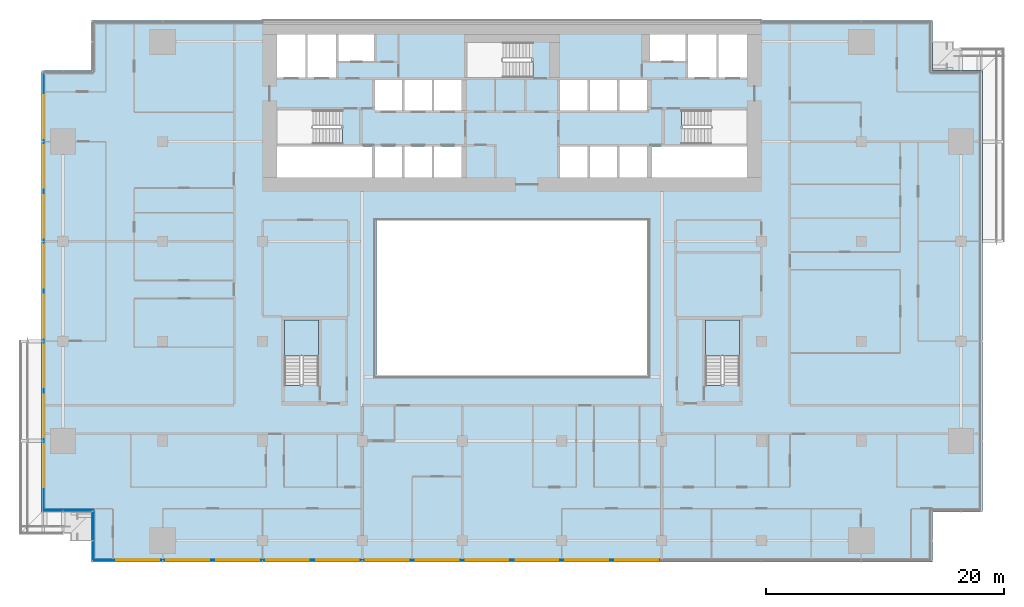
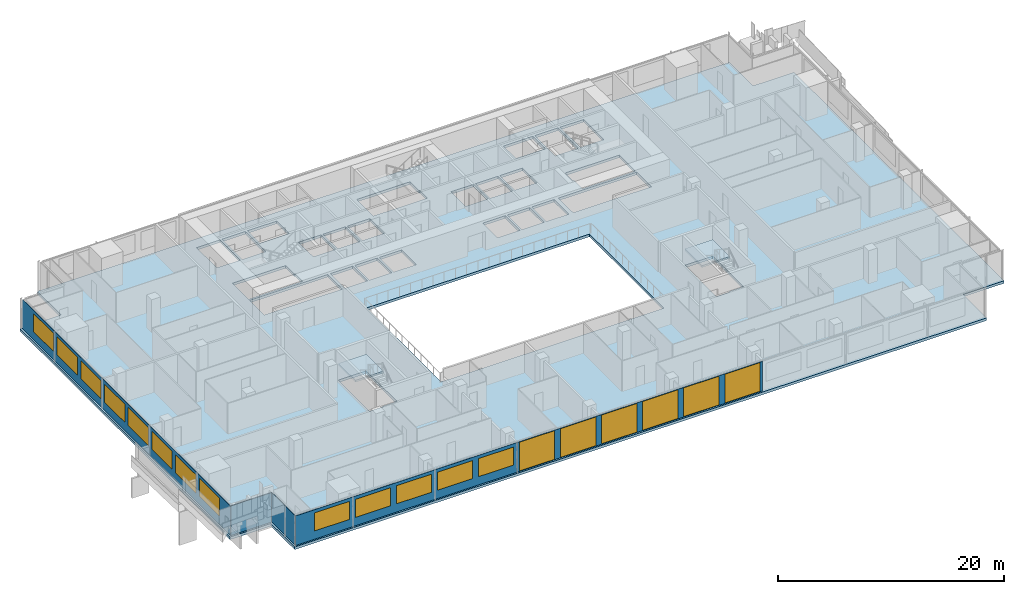
# One storey, part 14 of 27: 19 windows, 5 plates, 3 slabs, 19 openings, 6 elements without a shape of their own.
"""IFC4 building model written with IfcOpenShell, lengths in metres."""

from ifc_helpers import new_model, si_unit, direction, frame, frame_2d, origin, place, context, subcontext, project, spatial, polyline, rectangle, outline, extrude, material, layer, layer_set, type_object, element, fill, aggregate, save


model = new_model("IFC4")

# Units and contexts
model_context = context("Model", 3, precision=1e-05, world=origin(), true_north=direction((0.0, 1.0)))
body_context = subcontext(model_context, "Body", "Model", "MODEL_VIEW")
ifc_project = project(units=[si_unit("LENGTHUNIT", "METRE"), si_unit("AREAUNIT", "SQUARE_METRE"), si_unit("VOLUMEUNIT", "CUBIC_METRE"), si_unit("PLANEANGLEUNIT", "RADIAN"), si_unit("MASSUNIT", "GRAM", prefix="KILO")], contexts=[model_context])

# Site, building, storey
site_placement = place(None, origin())
site = spatial("IfcSite", under=ifc_project, at=site_placement, CompositionType="ELEMENT")
building_placement = place(site_placement, origin())
building = spatial("IfcBuilding", under=site, at=building_placement, Name="Saffron Gate Tower", CompositionType="ELEMENT")
storey_placement = place(building_placement, frame((0.0, 0.0, 76.800048828125)))
storey = spatial("IfcBuildingStorey", under=building, at=storey_placement, Name="L18", CompositionType="ELEMENT", Elevation=76.800048828125)

# Curtain wall, plates, openings, windows
ifc_material_1 = material(Name="Aluminium, bronze anodised", Category="aluminium")
curtain_wall_type_1 = type_object("IfcCurtainWallType", Name="CWS1 curtain wall front facade", PredefinedType="NOTDEFINED", material=ifc_material_1)
curtain_wall_1_placement = place(storey_placement, origin())
curtain_wall_1 = element("IfcCurtainWall", 1, at=curtain_wall_1_placement, inside=storey, type_object=curtain_wall_type_1, Name="CWS1 run 1", PredefinedType="NOTDEFINED")
ifc_material_2 = material(Name="Clear low-iron laminated glass", Category="glass")
ifc_layer_1 = layer(ifc_material_2, 0.028076171875)
ifc_layer_set_1 = layer_set([ifc_layer_1], Name="CWS1 clear glass")
plate_type_1 = type_object("IfcPlateType", Name="CWS1 clear glass", PredefinedType="CURTAIN_PANEL", material=ifc_layer_set_1)
plate_1_placement = place(storey_placement, frame((75.030029296875, 30.174072265625, 0.0), z_axis=(0.0, 0.0, 1.0), x_axis=(1.0, 0.0, 0.0)))
plate_1 = element("IfcPlate", 2, at=plate_1_placement, type_object=plate_type_1, Name="CWS1 clear glass panel", PredefinedType="CURTAIN_PANEL", context=body_context, shape_type="SweptSolid", body=[
    extrude(rectangle(XDim=25.139892578125, YDim=0.028076171875, at=frame_2d((12.56982421875, 0.0))), origin(), (0.0, 0.0, 1.0), 3.199951171875),
])
opening_1_placement = place(plate_1_placement, frame((0.27001953125, 0.0, 0.050048828125)))
opening_1 = element("IfcOpeningElement", 3, at=opening_1_placement, cuts=plate_1, Name="Opening WA", PredefinedType="OPENING", context=body_context, shape_type="SweptSolid", body=[
    extrude(rectangle(XDim=3.60009765625, YDim=3.10009765625, at=frame_2d((1.800048828125, 1.550048828125))), frame((0.0, 0.02392578125, 0.0), z_axis=(0.0, -1.0, 0.0), x_axis=(1.0, 0.0, 0.0)), (0.0, 0.0, 1.0), 0.048095703125),
])
opening_2_placement = place(plate_1_placement, frame((4.469970703125, 0.0, 0.050048828125)))
opening_2 = element("IfcOpeningElement", 4, at=opening_2_placement, cuts=plate_1, Name="Opening WA", PredefinedType="OPENING", context=body_context, shape_type="SweptSolid", body=[
    extrude(rectangle(XDim=3.60009765625, YDim=3.10009765625, at=frame_2d((1.800048828125, 1.550048828125))), frame((0.0, 0.02392578125, 0.0), z_axis=(0.0, -1.0, 0.0), x_axis=(1.0, 0.0, 0.0)), (0.0, 0.0, 1.0), 0.048095703125),
])
opening_3_placement = place(plate_1_placement, frame((8.669921875, 0.0, 0.050048828125)))
opening_3 = element("IfcOpeningElement", 5, at=opening_3_placement, cuts=plate_1, Name="Opening WA", PredefinedType="OPENING", context=body_context, shape_type="SweptSolid", body=[
    extrude(rectangle(XDim=3.60009765625, YDim=3.10009765625, at=frame_2d((1.800048828125, 1.550048828125))), frame((0.0, 0.02392578125, 0.0), z_axis=(0.0, -1.0, 0.0), x_axis=(1.0, 0.0, 0.0)), (0.0, 0.0, 1.0), 0.048095703125),
])
opening_4_placement = place(plate_1_placement, frame((12.8701171875, 0.0, 0.050048828125)))
opening_4 = element("IfcOpeningElement", 6, at=opening_4_placement, cuts=plate_1, Name="Opening WA", PredefinedType="OPENING", context=body_context, shape_type="SweptSolid", body=[
    extrude(rectangle(XDim=3.60009765625, YDim=3.10009765625, at=frame_2d((1.800048828125, 1.550048828125))), frame((0.0, 0.02392578125, 0.0), z_axis=(0.0, -1.0, 0.0), x_axis=(1.0, 0.0, 0.0)), (0.0, 0.0, 1.0), 0.048095703125),
])
opening_5_placement = place(plate_1_placement, frame((17.070068359375, 0.0, 0.050048828125)))
opening_5 = element("IfcOpeningElement", 7, at=opening_5_placement, cuts=plate_1, Name="Opening WA", PredefinedType="OPENING", context=body_context, shape_type="SweptSolid", body=[
    extrude(rectangle(XDim=3.60009765625, YDim=3.10009765625, at=frame_2d((1.800048828125, 1.550048828125))), frame((0.0, 0.02392578125, 0.0), z_axis=(0.0, -1.0, 0.0), x_axis=(1.0, 0.0, 0.0)), (0.0, 0.0, 1.0), 0.048095703125),
])
opening_6_placement = place(plate_1_placement, frame((21.27001953125, 0.0, 0.050048828125)))
opening_6 = element("IfcOpeningElement", 8, at=opening_6_placement, cuts=plate_1, Name="Opening WA", PredefinedType="OPENING", context=body_context, shape_type="SweptSolid", body=[
    extrude(rectangle(XDim=3.60009765625, YDim=3.10009765625, at=frame_2d((1.800048828125, 1.550048828125))), frame((0.0, 0.02392578125, 0.0), z_axis=(0.0, -1.0, 0.0), x_axis=(1.0, 0.0, 0.0)), (0.0, 0.0, 1.0), 0.048095703125),
])
ifc_material_3 = material(Name="Clear low-iron laminated glass in bronze frame", Category="glass")
ifc_layer_2 = layer(ifc_material_3, 0.06005859375)
ifc_layer_set_2 = layer_set([ifc_layer_2], Name="WA operable atrium unit 3600x3100")
window_type_1 = type_object("IfcWindowType", Name="WA operable atrium unit 3600x3100", PartitioningType="DOUBLE_PANEL_HORIZONTAL", PredefinedType="WINDOW", material=ifc_layer_set_2)
window_1_placement = place(opening_1_placement, origin())
window_1 = element("IfcWindow", 9, at=window_1_placement, type_object=window_type_1, Name="WA operable atrium unit", OverallHeight=3.10009765625, OverallWidth=3.60009765625, PartitioningType="SINGLE_PANEL", PredefinedType="WINDOW", context=body_context, shape_type="SweptSolid", body=[
    extrude(rectangle(XDim=3.60009765625, YDim=3.10009765625, at=frame_2d((1.800048828125, 1.550048828125))), frame((0.0, 0.013671875, 0.0), z_axis=(0.0, -1.0, 0.0), x_axis=(1.0, 0.0, 0.0)), (0.0, 0.0, 1.0), 0.027587890625),
])
fill(opening_1, window_1)
window_2_placement = place(opening_2_placement, origin())
window_2 = element("IfcWindow", 10, at=window_2_placement, type_object=window_type_1, Name="WA operable atrium unit", OverallHeight=3.10009765625, OverallWidth=3.60009765625, PartitioningType="SINGLE_PANEL", PredefinedType="WINDOW", context=body_context, shape_type="SweptSolid", body=[
    extrude(rectangle(XDim=3.60009765625, YDim=3.10009765625, at=frame_2d((1.800048828125, 1.550048828125))), frame((0.0, 0.013671875, 0.0), z_axis=(0.0, -1.0, 0.0), x_axis=(1.0, 0.0, 0.0)), (0.0, 0.0, 1.0), 0.027587890625),
])
fill(opening_2, window_2)
window_3_placement = place(opening_3_placement, origin())
window_3 = element("IfcWindow", 11, at=window_3_placement, type_object=window_type_1, Name="WA operable atrium unit", OverallHeight=3.10009765625, OverallWidth=3.60009765625, PartitioningType="SINGLE_PANEL", PredefinedType="WINDOW", context=body_context, shape_type="SweptSolid", body=[
    extrude(rectangle(XDim=3.60009765625, YDim=3.10009765625, at=frame_2d((1.800048828125, 1.550048828125))), frame((0.0, 0.013671875, 0.0), z_axis=(0.0, -1.0, 0.0), x_axis=(1.0, 0.0, 0.0)), (0.0, 0.0, 1.0), 0.027587890625),
])
fill(opening_3, window_3)
window_4_placement = place(opening_4_placement, origin())
window_4 = element("IfcWindow", 12, at=window_4_placement, type_object=window_type_1, Name="WA operable atrium unit", OverallHeight=3.10009765625, OverallWidth=3.60009765625, PartitioningType="SINGLE_PANEL", PredefinedType="WINDOW", context=body_context, shape_type="SweptSolid", body=[
    extrude(rectangle(XDim=3.60009765625, YDim=3.10009765625, at=frame_2d((1.800048828125, 1.550048828125))), frame((0.0, 0.013671875, 0.0), z_axis=(0.0, -1.0, 0.0), x_axis=(1.0, 0.0, 0.0)), (0.0, 0.0, 1.0), 0.027587890625),
])
fill(opening_4, window_4)
window_5_placement = place(opening_5_placement, origin())
window_5 = element("IfcWindow", 13, at=window_5_placement, type_object=window_type_1, Name="WA operable atrium unit", OverallHeight=3.10009765625, OverallWidth=3.60009765625, PartitioningType="SINGLE_PANEL", PredefinedType="WINDOW", context=body_context, shape_type="SweptSolid", body=[
    extrude(rectangle(XDim=3.60009765625, YDim=3.10009765625, at=frame_2d((1.800048828125, 1.550048828125))), frame((0.0, 0.013671875, 0.0), z_axis=(0.0, -1.0, 0.0), x_axis=(1.0, 0.0, 0.0)), (0.0, 0.0, 1.0), 0.027587890625),
])
fill(opening_5, window_5)
window_6_placement = place(opening_6_placement, origin())
window_6 = element("IfcWindow", 14, at=window_6_placement, type_object=window_type_1, Name="WA operable atrium unit", OverallHeight=3.10009765625, OverallWidth=3.60009765625, PartitioningType="SINGLE_PANEL", PredefinedType="WINDOW", context=body_context, shape_type="SweptSolid", body=[
    extrude(rectangle(XDim=3.60009765625, YDim=3.10009765625, at=frame_2d((1.800048828125, 1.550048828125))), frame((0.0, 0.013671875, 0.0), z_axis=(0.0, -1.0, 0.0), x_axis=(1.0, 0.0, 0.0)), (0.0, 0.0, 1.0), 0.027587890625),
])
fill(opening_6, window_6)
ifc_material_4 = material(Name="Fritted bronze-tinted laminated glass", Category="glass")
ifc_layer_3 = layer(ifc_material_4, 0.028076171875)
ifc_layer_set_3 = layer_set([ifc_layer_3], Name="CWS1 fixed glass")
plate_type_2 = type_object("IfcPlateType", Name="CWS1 fixed glass", PredefinedType="CURTAIN_PANEL", material=ifc_layer_set_3)
plate_2_placement = place(storey_placement, frame((52.387939453125, 30.174072265625, 0.0), z_axis=(0.0, 0.0, 1.0), x_axis=(1.0, 0.0, 0.0)))
plate_2 = element("IfcPlate", 15, at=plate_2_placement, type_object=plate_type_2, Name="CWS1 glass panel", PredefinedType="CURTAIN_PANEL", context=body_context, shape_type="SweptSolid", body=[
    extrude(rectangle(XDim=22.64208984375, YDim=0.028076171875, at=frame_2d((11.321044921875, 0.0))), origin(), (0.0, 0.0, 1.0), 3.199951171875),
])
opening_7_placement = place(plate_2_placement, frame((1.912109375, 0.0, 0.89990234375)))
opening_7 = element("IfcOpeningElement", 16, at=opening_7_placement, cuts=plate_2, Name="Opening W1", PredefinedType="OPENING", context=body_context, shape_type="SweptSolid", body=[
    extrude(rectangle(XDim=3.60009765625, YDim=1.949951171875, at=frame_2d((1.800048828125, 0.97509765625))), frame((0.0, 0.02392578125, 0.0), z_axis=(0.0, -1.0, 0.0), x_axis=(1.0, 0.0, 0.0)), (0.0, 0.0, 1.0), 0.048095703125),
])
opening_8_placement = place(plate_2_placement, frame((6.112060546875, 0.0, 0.89990234375)))
opening_8 = element("IfcOpeningElement", 17, at=opening_8_placement, cuts=plate_2, Name="Opening W1", PredefinedType="OPENING", context=body_context, shape_type="SweptSolid", body=[
    extrude(rectangle(XDim=3.60009765625, YDim=1.949951171875, at=frame_2d((1.800048828125, 0.97509765625))), frame((0.0, 0.02392578125, 0.0), z_axis=(0.0, -1.0, 0.0), x_axis=(1.0, 0.0, 0.0)), (0.0, 0.0, 1.0), 0.048095703125),
])
opening_9_placement = place(plate_2_placement, frame((10.31201171875, 0.0, 0.89990234375)))
opening_9 = element("IfcOpeningElement", 18, at=opening_9_placement, cuts=plate_2, Name="Opening W1", PredefinedType="OPENING", context=body_context, shape_type="SweptSolid", body=[
    extrude(rectangle(XDim=3.60009765625, YDim=1.949951171875, at=frame_2d((1.800048828125, 0.97509765625))), frame((0.0, 0.02392578125, 0.0), z_axis=(0.0, -1.0, 0.0), x_axis=(1.0, 0.0, 0.0)), (0.0, 0.0, 1.0), 0.048095703125),
])
opening_10_placement = place(plate_2_placement, frame((14.511962890625, 0.0, 0.89990234375)))
opening_10 = element("IfcOpeningElement", 19, at=opening_10_placement, cuts=plate_2, Name="Opening W1", PredefinedType="OPENING", context=body_context, shape_type="SweptSolid", body=[
    extrude(rectangle(XDim=3.60009765625, YDim=1.949951171875, at=frame_2d((1.800048828125, 0.97509765625))), frame((0.0, 0.02392578125, 0.0), z_axis=(0.0, -1.0, 0.0), x_axis=(1.0, 0.0, 0.0)), (0.0, 0.0, 1.0), 0.048095703125),
])
opening_11_placement = place(plate_2_placement, frame((18.7119140625, 0.0, 0.89990234375)))
opening_11 = element("IfcOpeningElement", 20, at=opening_11_placement, cuts=plate_2, Name="Opening W1", PredefinedType="OPENING", context=body_context, shape_type="SweptSolid", body=[
    extrude(rectangle(XDim=3.60009765625, YDim=1.949951171875, at=frame_2d((1.800048828125, 0.97509765625))), frame((0.0, 0.02392578125, 0.0), z_axis=(0.0, -1.0, 0.0), x_axis=(1.0, 0.0, 0.0)), (0.0, 0.0, 1.0), 0.048095703125),
])
ifc_material_5 = material(Name="Fritted bronze-tinted laminated glass in bronze frame", Category="glass")
ifc_layer_4 = layer(ifc_material_5, 0.06005859375)
ifc_layer_set_4 = layer_set([ifc_layer_4], Name="W1 operable panel 3600x1950")
window_type_2 = type_object("IfcWindowType", Name="W1 operable panel 3600x1950", PartitioningType="DOUBLE_PANEL_HORIZONTAL", PredefinedType="WINDOW", material=ifc_layer_set_4)
window_7_placement = place(opening_7_placement, origin())
window_7 = element("IfcWindow", 21, at=window_7_placement, type_object=window_type_2, Name="W1 operable panel", OverallHeight=1.949951171875, OverallWidth=3.60009765625, PartitioningType="SINGLE_PANEL", PredefinedType="WINDOW", context=body_context, shape_type="SweptSolid", body=[
    extrude(rectangle(XDim=3.60009765625, YDim=1.949951171875, at=frame_2d((1.800048828125, 0.97509765625))), frame((0.0, 0.013671875, 0.0), z_axis=(0.0, -1.0, 0.0), x_axis=(1.0, 0.0, 0.0)), (0.0, 0.0, 1.0), 0.027587890625),
])
fill(opening_7, window_7)
window_8_placement = place(opening_8_placement, origin())
window_8 = element("IfcWindow", 22, at=window_8_placement, type_object=window_type_2, Name="W1 operable panel", OverallHeight=1.949951171875, OverallWidth=3.60009765625, PartitioningType="SINGLE_PANEL", PredefinedType="WINDOW", context=body_context, shape_type="SweptSolid", body=[
    extrude(rectangle(XDim=3.60009765625, YDim=1.949951171875, at=frame_2d((1.800048828125, 0.97509765625))), frame((0.0, 0.013671875, 0.0), z_axis=(0.0, -1.0, 0.0), x_axis=(1.0, 0.0, 0.0)), (0.0, 0.0, 1.0), 0.027587890625),
])
fill(opening_8, window_8)
window_9_placement = place(opening_9_placement, origin())
window_9 = element("IfcWindow", 23, at=window_9_placement, type_object=window_type_2, Name="W1 operable panel", OverallHeight=1.949951171875, OverallWidth=3.60009765625, PartitioningType="SINGLE_PANEL", PredefinedType="WINDOW", context=body_context, shape_type="SweptSolid", body=[
    extrude(rectangle(XDim=3.60009765625, YDim=1.949951171875, at=frame_2d((1.800048828125, 0.97509765625))), frame((0.0, 0.013671875, 0.0), z_axis=(0.0, -1.0, 0.0), x_axis=(1.0, 0.0, 0.0)), (0.0, 0.0, 1.0), 0.027587890625),
])
fill(opening_9, window_9)
window_10_placement = place(opening_10_placement, origin())
window_10 = element("IfcWindow", 24, at=window_10_placement, type_object=window_type_2, Name="W1 operable panel", OverallHeight=1.949951171875, OverallWidth=3.60009765625, PartitioningType="SINGLE_PANEL", PredefinedType="WINDOW", context=body_context, shape_type="SweptSolid", body=[
    extrude(rectangle(XDim=3.60009765625, YDim=1.949951171875, at=frame_2d((1.800048828125, 0.97509765625))), frame((0.0, 0.013671875, 0.0), z_axis=(0.0, -1.0, 0.0), x_axis=(1.0, 0.0, 0.0)), (0.0, 0.0, 1.0), 0.027587890625),
])
fill(opening_10, window_10)
window_11_placement = place(opening_11_placement, origin())
window_11 = element("IfcWindow", 25, at=window_11_placement, type_object=window_type_2, Name="W1 operable panel", OverallHeight=1.949951171875, OverallWidth=3.60009765625, PartitioningType="SINGLE_PANEL", PredefinedType="WINDOW", context=body_context, shape_type="SweptSolid", body=[
    extrude(rectangle(XDim=3.60009765625, YDim=1.949951171875, at=frame_2d((1.800048828125, 0.97509765625))), frame((0.0, 0.013671875, 0.0), z_axis=(0.0, -1.0, 0.0), x_axis=(1.0, 0.0, 0.0)), (0.0, 0.0, 1.0), 0.027587890625),
])
fill(opening_11, window_11)
aggregate(curtain_wall_1, [plate_2, plate_1, window_7, window_8, window_9, window_10, window_11, window_1, window_2, window_3, window_4, window_5, window_6])

# Curtain wall, plate, openings, windows
curtain_wall_type_2 = type_object("IfcCurtainWallType", Name="CWS2 curtain wall side facades", PredefinedType="NOTDEFINED", material=ifc_material_1)
curtain_wall_2_placement = place(storey_placement, origin())
curtain_wall_2 = element("IfcCurtainWall", 26, at=curtain_wall_2_placement, inside=storey, type_object=curtain_wall_type_2, Name="CWS2 run 10", PredefinedType="NOTDEFINED")
ifc_layer_5 = layer(ifc_material_4, 0.028076171875)
ifc_layer_set_5 = layer_set([ifc_layer_5], Name="CWS2 fixed glass")
plate_type_3 = type_object("IfcPlateType", Name="CWS2 fixed glass", PredefinedType="CURTAIN_PANEL", material=ifc_layer_set_5)
plate_3_placement = place(storey_placement, frame((48.174072265625, 71.2119140625, 0.0), z_axis=(0.0, 0.0, 1.0), x_axis=(0.0, -1.0, 0.0)))
plate_3 = element("IfcPlate", 27, at=plate_3_placement, type_object=plate_type_3, Name="CWS2 glass panel", PredefinedType="CURTAIN_PANEL", context=body_context, shape_type="SweptSolid", body=[
    extrude(rectangle(XDim=36.823974609375, YDim=0.028076171875, at=frame_2d((18.412109375, 0.0))), origin(), (0.0, 0.0, 1.0), 3.199951171875),
])
opening_12_placement = place(plate_3_placement, frame((1.912109375, 0.0, 0.89990234375)))
opening_12 = element("IfcOpeningElement", 28, at=opening_12_placement, cuts=plate_3, Name="Opening W1", PredefinedType="OPENING", context=body_context, shape_type="SweptSolid", body=[
    extrude(rectangle(XDim=3.60009765625, YDim=1.949951171875, at=frame_2d((1.800048828125, 0.97509765625))), frame((0.0, 0.02392578125, 0.0), z_axis=(0.0, -1.0, 0.0), x_axis=(1.0, 0.0, 0.0)), (0.0, 0.0, 1.0), 0.048095703125),
])
opening_13_placement = place(plate_3_placement, frame((6.112060546875, 0.0, 0.89990234375)))
opening_13 = element("IfcOpeningElement", 29, at=opening_13_placement, cuts=plate_3, Name="Opening W1", PredefinedType="OPENING", context=body_context, shape_type="SweptSolid", body=[
    extrude(rectangle(XDim=3.60009765625, YDim=1.949951171875, at=frame_2d((1.800048828125, 0.97509765625))), frame((0.0, 0.02392578125, 0.0), z_axis=(0.0, -1.0, 0.0), x_axis=(1.0, 0.0, 0.0)), (0.0, 0.0, 1.0), 0.048095703125),
])
opening_14_placement = place(plate_3_placement, frame((10.31201171875, 0.0, 0.89990234375)))
opening_14 = element("IfcOpeningElement", 30, at=opening_14_placement, cuts=plate_3, Name="Opening W1", PredefinedType="OPENING", context=body_context, shape_type="SweptSolid", body=[
    extrude(rectangle(XDim=3.60009765625, YDim=1.949951171875, at=frame_2d((1.800048828125, 0.97509765625))), frame((0.0, 0.02392578125, 0.0), z_axis=(0.0, -1.0, 0.0), x_axis=(1.0, 0.0, 0.0)), (0.0, 0.0, 1.0), 0.048095703125),
])
opening_15_placement = place(plate_3_placement, frame((14.511962890625, 0.0, 0.89990234375)))
opening_15 = element("IfcOpeningElement", 31, at=opening_15_placement, cuts=plate_3, Name="Opening W1", PredefinedType="OPENING", context=body_context, shape_type="SweptSolid", body=[
    extrude(rectangle(XDim=3.60009765625, YDim=1.949951171875, at=frame_2d((1.800048828125, 0.97509765625))), frame((0.0, 0.02392578125, 0.0), z_axis=(0.0, -1.0, 0.0), x_axis=(1.0, 0.0, 0.0)), (0.0, 0.0, 1.0), 0.048095703125),
])
opening_16_placement = place(plate_3_placement, frame((18.7119140625, 0.0, 0.89990234375)))
opening_16 = element("IfcOpeningElement", 32, at=opening_16_placement, cuts=plate_3, Name="Opening W1", PredefinedType="OPENING", context=body_context, shape_type="SweptSolid", body=[
    extrude(rectangle(XDim=3.60009765625, YDim=1.949951171875, at=frame_2d((1.800048828125, 0.97509765625))), frame((0.0, 0.02392578125, 0.0), z_axis=(0.0, -1.0, 0.0), x_axis=(1.0, 0.0, 0.0)), (0.0, 0.0, 1.0), 0.048095703125),
])
opening_17_placement = place(plate_3_placement, frame((22.912109375, 0.0, 0.89990234375)))
opening_17 = element("IfcOpeningElement", 33, at=opening_17_placement, cuts=plate_3, Name="Opening W1", PredefinedType="OPENING", context=body_context, shape_type="SweptSolid", body=[
    extrude(rectangle(XDim=3.60009765625, YDim=1.949951171875, at=frame_2d((1.800048828125, 0.97509765625))), frame((0.0, 0.02392578125, 0.0), z_axis=(0.0, -1.0, 0.0), x_axis=(1.0, 0.0, 0.0)), (0.0, 0.0, 1.0), 0.048095703125),
])
opening_18_placement = place(plate_3_placement, frame((27.112060546875, 0.0, 0.89990234375)))
opening_18 = element("IfcOpeningElement", 34, at=opening_18_placement, cuts=plate_3, Name="Opening W1", PredefinedType="OPENING", context=body_context, shape_type="SweptSolid", body=[
    extrude(rectangle(XDim=3.60009765625, YDim=1.949951171875, at=frame_2d((1.800048828125, 0.97509765625))), frame((0.0, 0.02392578125, 0.0), z_axis=(0.0, -1.0, 0.0), x_axis=(1.0, 0.0, 0.0)), (0.0, 0.0, 1.0), 0.048095703125),
])
opening_19_placement = place(plate_3_placement, frame((31.31201171875, 0.0, 0.89990234375)))
opening_19 = element("IfcOpeningElement", 35, at=opening_19_placement, cuts=plate_3, Name="Opening W1", PredefinedType="OPENING", context=body_context, shape_type="SweptSolid", body=[
    extrude(rectangle(XDim=3.60009765625, YDim=1.949951171875, at=frame_2d((1.800048828125, 0.97509765625))), frame((0.0, 0.02392578125, 0.0), z_axis=(0.0, -1.0, 0.0), x_axis=(1.0, 0.0, 0.0)), (0.0, 0.0, 1.0), 0.048095703125),
])
window_12_placement = place(opening_12_placement, origin())
window_12 = element("IfcWindow", 36, at=window_12_placement, type_object=window_type_2, Name="W1 operable panel", OverallHeight=1.949951171875, OverallWidth=3.60009765625, PartitioningType="SINGLE_PANEL", PredefinedType="WINDOW", context=body_context, shape_type="SweptSolid", body=[
    extrude(rectangle(XDim=3.60009765625, YDim=1.949951171875, at=frame_2d((1.800048828125, 0.97509765625))), frame((0.0, 0.013671875, 0.0), z_axis=(0.0, -1.0, 0.0), x_axis=(1.0, 0.0, 0.0)), (0.0, 0.0, 1.0), 0.027587890625),
])
fill(opening_12, window_12)
window_13_placement = place(opening_13_placement, origin())
window_13 = element("IfcWindow", 37, at=window_13_placement, type_object=window_type_2, Name="W1 operable panel", OverallHeight=1.949951171875, OverallWidth=3.60009765625, PartitioningType="SINGLE_PANEL", PredefinedType="WINDOW", context=body_context, shape_type="SweptSolid", body=[
    extrude(rectangle(XDim=3.60009765625, YDim=1.949951171875, at=frame_2d((1.800048828125, 0.97509765625))), frame((0.0, 0.013671875, 0.0), z_axis=(0.0, -1.0, 0.0), x_axis=(1.0, 0.0, 0.0)), (0.0, 0.0, 1.0), 0.027587890625),
])
fill(opening_13, window_13)
window_14_placement = place(opening_14_placement, origin())
window_14 = element("IfcWindow", 38, at=window_14_placement, type_object=window_type_2, Name="W1 operable panel", OverallHeight=1.949951171875, OverallWidth=3.60009765625, PartitioningType="SINGLE_PANEL", PredefinedType="WINDOW", context=body_context, shape_type="SweptSolid", body=[
    extrude(rectangle(XDim=3.60009765625, YDim=1.949951171875, at=frame_2d((1.800048828125, 0.97509765625))), frame((0.0, 0.013671875, 0.0), z_axis=(0.0, -1.0, 0.0), x_axis=(1.0, 0.0, 0.0)), (0.0, 0.0, 1.0), 0.027587890625),
])
fill(opening_14, window_14)
window_15_placement = place(opening_15_placement, origin())
window_15 = element("IfcWindow", 39, at=window_15_placement, type_object=window_type_2, Name="W1 operable panel", OverallHeight=1.949951171875, OverallWidth=3.60009765625, PartitioningType="SINGLE_PANEL", PredefinedType="WINDOW", context=body_context, shape_type="SweptSolid", body=[
    extrude(rectangle(XDim=3.60009765625, YDim=1.949951171875, at=frame_2d((1.800048828125, 0.97509765625))), frame((0.0, 0.013671875, 0.0), z_axis=(0.0, -1.0, 0.0), x_axis=(1.0, 0.0, 0.0)), (0.0, 0.0, 1.0), 0.027587890625),
])
fill(opening_15, window_15)
window_16_placement = place(opening_16_placement, origin())
window_16 = element("IfcWindow", 40, at=window_16_placement, type_object=window_type_2, Name="W1 operable panel", OverallHeight=1.949951171875, OverallWidth=3.60009765625, PartitioningType="SINGLE_PANEL", PredefinedType="WINDOW", context=body_context, shape_type="SweptSolid", body=[
    extrude(rectangle(XDim=3.60009765625, YDim=1.949951171875, at=frame_2d((1.800048828125, 0.97509765625))), frame((0.0, 0.013671875, 0.0), z_axis=(0.0, -1.0, 0.0), x_axis=(1.0, 0.0, 0.0)), (0.0, 0.0, 1.0), 0.027587890625),
])
fill(opening_16, window_16)
window_17_placement = place(opening_17_placement, origin())
window_17 = element("IfcWindow", 41, at=window_17_placement, type_object=window_type_2, Name="W1 operable panel", OverallHeight=1.949951171875, OverallWidth=3.60009765625, PartitioningType="SINGLE_PANEL", PredefinedType="WINDOW", context=body_context, shape_type="SweptSolid", body=[
    extrude(rectangle(XDim=3.60009765625, YDim=1.949951171875, at=frame_2d((1.800048828125, 0.97509765625))), frame((0.0, 0.013671875, 0.0), z_axis=(0.0, -1.0, 0.0), x_axis=(1.0, 0.0, 0.0)), (0.0, 0.0, 1.0), 0.027587890625),
])
fill(opening_17, window_17)
window_18_placement = place(opening_18_placement, origin())
window_18 = element("IfcWindow", 42, at=window_18_placement, type_object=window_type_2, Name="W1 operable panel", OverallHeight=1.949951171875, OverallWidth=3.60009765625, PartitioningType="SINGLE_PANEL", PredefinedType="WINDOW", context=body_context, shape_type="SweptSolid", body=[
    extrude(rectangle(XDim=3.60009765625, YDim=1.949951171875, at=frame_2d((1.800048828125, 0.97509765625))), frame((0.0, 0.013671875, 0.0), z_axis=(0.0, -1.0, 0.0), x_axis=(1.0, 0.0, 0.0)), (0.0, 0.0, 1.0), 0.027587890625),
])
fill(opening_18, window_18)
window_19_placement = place(opening_19_placement, origin())
window_19 = element("IfcWindow", 43, at=window_19_placement, type_object=window_type_2, Name="W1 operable panel", OverallHeight=1.949951171875, OverallWidth=3.60009765625, PartitioningType="SINGLE_PANEL", PredefinedType="WINDOW", context=body_context, shape_type="SweptSolid", body=[
    extrude(rectangle(XDim=3.60009765625, YDim=1.949951171875, at=frame_2d((1.800048828125, 0.97509765625))), frame((0.0, 0.013671875, 0.0), z_axis=(0.0, -1.0, 0.0), x_axis=(1.0, 0.0, 0.0)), (0.0, 0.0, 1.0), 0.027587890625),
])
fill(opening_19, window_19)
aggregate(curtain_wall_2, [plate_3, window_12, window_13, window_14, window_15, window_16, window_17, window_18, window_19])

# Curtain wall, plate
curtain_wall_type_3 = type_object("IfcCurtainWallType", Name="CWS4 curtain wall corner returns", PredefinedType="NOTDEFINED", material=ifc_material_1)
curtain_wall_3_placement = place(storey_placement, origin())
curtain_wall_3 = element("IfcCurtainWall", 44, at=curtain_wall_3_placement, inside=storey, type_object=curtain_wall_type_3, Name="CWS4 run 11", PredefinedType="NOTDEFINED")
ifc_layer_6 = layer(ifc_material_4, 0.028076171875)
ifc_layer_set_6 = layer_set([ifc_layer_6], Name="CWS4 fixed glass")
plate_type_4 = type_object("IfcPlateType", Name="CWS4 fixed glass", PredefinedType="CURTAIN_PANEL", material=ifc_layer_set_6)
plate_4_placement = place(storey_placement, frame((48.18798828125, 34.3740234375, 0.0), z_axis=(0.0, 0.0, 1.0), x_axis=(1.0, 0.0, 0.0)))
plate_4 = element("IfcPlate", 45, at=plate_4_placement, type_object=plate_type_4, Name="CWS4 glass panel", PredefinedType="CURTAIN_PANEL", context=body_context, shape_type="SweptSolid", body=[
    extrude(rectangle(XDim=4.172119140625, YDim=0.028076171875, at=frame_2d((2.0859375, 0.0))), origin(), (0.0, 0.0, 1.0), 3.199951171875),
])
aggregate(curtain_wall_3, [plate_4])

curtain_wall_4_placement = place(storey_placement, origin())
curtain_wall_4 = element("IfcCurtainWall", 46, at=curtain_wall_4_placement, inside=storey, type_object=curtain_wall_type_3, Name="CWS4 run 12", PredefinedType="NOTDEFINED")
plate_5_placement = place(storey_placement, frame((52.3740234375, 34.360107421875, 0.0), z_axis=(0.0, 0.0, 1.0), x_axis=(0.0, -1.0, 0.0)))
plate_5 = element("IfcPlate", 47, at=plate_5_placement, type_object=plate_type_4, Name="CWS4 glass panel", PredefinedType="CURTAIN_PANEL", context=body_context, shape_type="SweptSolid", body=[
    extrude(rectangle(XDim=4.172119140625, YDim=0.028076171875, at=frame_2d((2.0859375, 0.0))), origin(), (0.0, 0.0, 1.0), 3.199951171875),
])
aggregate(curtain_wall_4, [plate_5])

# Slab
ifc_material_6 = material(Name="Concrete C40", Category="concrete")
ifc_layer_7 = layer(ifc_material_6, 0.280029296875)
ifc_layer_set_7 = layer_set([ifc_layer_7], Name="S2 FLOOR SLAB 280 CONCRETE C40")
slab_type_1 = type_object("IfcSlabType", Name="S2 FLOOR SLAB 280 CONCRETE C40", PredefinedType="FLOOR", material=ifc_layer_set_7)
slab_1_placement = place(storey_placement, frame((0.0, 0.0, -0.280029296875)))
element("IfcSlab", 48, at=slab_1_placement, inside=storey, type_object=slab_type_1, Name="S2 FLOOR SLAB", PredefinedType="FLOOR", context=body_context, shape_type="SweptSolid", body=[
    extrude(outline(polyline([(48.0, 34.199951171875), (52.199951171875, 34.199951171875), (52.199951171875, 30.0), (123.0, 30.0), (123.0, 34.199951171875), (127.199951171875, 34.199951171875), (127.199951171875, 71.39990234375), (123.0, 71.39990234375), (123.0, 75.60009765625), (52.199951171875, 75.60009765625), (52.199951171875, 71.39990234375), (48.0, 71.39990234375), (48.0, 34.199951171875)]), holes=[polyline([(67.800048828125, 62.39990234375), (67.800048828125, 65.0), (75.800048828125, 65.0), (75.800048828125, 62.39990234375), (67.800048828125, 62.39990234375)]), polyline([(67.800048828125, 65.199951171875), (67.800048828125, 68.050048828125), (73.25, 68.050048828125), (73.25, 66.550048828125), (73.34912109375, 66.550048828125), (73.34912109375, 65.199951171875), (67.800048828125, 65.199951171875)]), polyline([(67.800048828125, 70.800048828125), (67.800048828125, 74.39990234375), (70.199951171875, 74.39990234375), (70.199951171875, 70.800048828125), (67.800048828125, 70.800048828125)]), polyline([(68.449951171875, 44.85107421875), (68.449951171875, 50.39990234375), (71.300048828125, 50.39990234375), (71.300048828125, 44.949951171875), (69.800048828125, 44.949951171875), (69.800048828125, 44.85107421875), (68.449951171875, 44.85107421875)]), polyline([(70.39990234375, 70.800048828125), (70.39990234375, 74.39990234375), (72.800048828125, 74.39990234375), (72.800048828125, 70.800048828125), (70.39990234375, 70.800048828125)]), polyline([(73.0, 72.199951171875), (73.0, 74.39990234375), (76.0, 74.39990234375), (76.0, 72.199951171875), (73.0, 72.199951171875)]), polyline([(76.050048828125, 62.39990234375), (76.050048828125, 65.0), (78.35009765625, 65.0), (78.35009765625, 62.39990234375), (76.050048828125, 62.39990234375)]), polyline([(76.050048828125, 68.0), (76.050048828125, 70.60009765625), (78.35009765625, 70.60009765625), (78.35009765625, 68.0), (76.050048828125, 68.0)]), polyline([(76.199951171875, 45.60009765625), (76.199951171875, 58.800048828125), (99.0, 58.800048828125), (99.0, 45.60009765625), (76.199951171875, 45.60009765625)]), polyline([(78.550048828125, 62.39990234375), (78.550048828125, 65.0), (80.85009765625, 65.0), (80.85009765625, 62.39990234375), (78.550048828125, 62.39990234375)]), polyline([(78.550048828125, 68.0), (78.550048828125, 70.60009765625), (80.85009765625, 70.60009765625), (80.85009765625, 68.0), (78.550048828125, 68.0)]), polyline([(81.050048828125, 62.39990234375), (81.050048828125, 65.0), (83.35009765625, 65.0), (83.35009765625, 62.39990234375), (81.050048828125, 62.39990234375)]), polyline([(81.050048828125, 68.0), (81.050048828125, 70.60009765625), (83.35009765625, 70.60009765625), (83.35009765625, 68.0), (81.050048828125, 68.0)]), polyline([(83.800048828125, 70.800048828125), (83.800048828125, 73.75), (89.25, 73.75), (89.25, 72.14990234375), (89.34912109375, 72.14990234375), (89.34912109375, 70.800048828125), (83.800048828125, 70.800048828125)]), polyline([(91.64990234375, 62.39990234375), (91.64990234375, 65.0), (93.949951171875, 65.0), (93.949951171875, 62.39990234375), (91.64990234375, 62.39990234375)]), polyline([(91.64990234375, 68.0), (91.64990234375, 70.60009765625), (93.949951171875, 70.60009765625), (93.949951171875, 68.0), (91.64990234375, 68.0)]), polyline([(94.14990234375, 62.39990234375), (94.14990234375, 65.0), (96.449951171875, 65.0), (96.449951171875, 62.39990234375), (94.14990234375, 62.39990234375)]), polyline([(94.14990234375, 68.0), (94.14990234375, 70.60009765625), (96.449951171875, 70.60009765625), (96.449951171875, 68.0), (94.14990234375, 68.0)]), polyline([(96.64990234375, 62.39990234375), (96.64990234375, 65.0), (98.949951171875, 65.0), (98.949951171875, 62.39990234375), (96.64990234375, 62.39990234375)]), polyline([(96.64990234375, 68.0), (96.64990234375, 70.60009765625), (98.949951171875, 70.60009765625), (98.949951171875, 68.0), (96.64990234375, 68.0)]), polyline([(99.199951171875, 72.199951171875), (99.199951171875, 74.39990234375), (102.199951171875, 74.39990234375), (102.199951171875, 72.199951171875), (99.199951171875, 72.199951171875)]), polyline([(99.39990234375, 62.39990234375), (99.39990234375, 65.0), (107.39990234375, 65.0), (107.39990234375, 62.39990234375), (99.39990234375, 62.39990234375)]), polyline([(101.85107421875, 66.699951171875), (101.85107421875, 68.050048828125), (107.39990234375, 68.050048828125), (107.39990234375, 65.199951171875), (101.949951171875, 65.199951171875), (101.949951171875, 66.699951171875), (101.85107421875, 66.699951171875)]), polyline([(102.39990234375, 70.800048828125), (102.39990234375, 74.39990234375), (104.800048828125, 74.39990234375), (104.800048828125, 70.800048828125), (102.39990234375, 70.800048828125)]), polyline([(103.89990234375, 44.85107421875), (103.89990234375, 50.39990234375), (106.75, 50.39990234375), (106.75, 44.949951171875), (105.25, 44.949951171875), (105.25, 44.85107421875), (103.89990234375, 44.85107421875)]), polyline([(105.0, 70.800048828125), (105.0, 74.39990234375), (107.39990234375, 74.39990234375), (107.39990234375, 70.800048828125), (105.0, 70.800048828125)])]), origin(), (0.0, 0.0, 1.0), 0.280029296875),
])

# Stair, slab
stair_type = type_object("IfcStairType", Name="ST7 Stair 1350 wide, 20 risers of 180", PredefinedType="HALF_TURN_STAIR", material=ifc_material_6)
stair_1_placement = place(storey_placement, origin())
stair_1 = element("IfcStair", 49, at=stair_1_placement, inside=storey, type_object=stair_type, Name="L18 Exit stair D", PredefinedType="HALF_TURN_STAIR")
ifc_layer_8 = layer(ifc_material_6, 0.199951171875)
ifc_layer_set_8 = layer_set([ifc_layer_8], Name="SL1 Stair landing 200")
slab_type_2 = type_object("IfcSlabType", Name="SL1 Stair landing 200", PredefinedType="LANDING", material=ifc_layer_set_8)
slab_2_placement = place(storey_placement, frame((0.0, 0.0, 1.599853515625)))
slab_2 = element("IfcSlab", 50, at=slab_2_placement, type_object=slab_type_2, Name="ST-D landing 1", PredefinedType="LANDING", context=body_context, shape_type="SweptSolid", body=[
    extrude(outline(polyline([(71.300048828125, 47.3701171875), (71.300048828125, 50.39990234375), (68.449951171875, 50.39990234375), (68.449951171875, 47.3701171875), (71.300048828125, 47.3701171875)])), origin(), (0.0, 0.0, 1.0), 0.2001953125),
])
aggregate(stair_1, [slab_2])

stair_2_placement = place(storey_placement, origin())
stair_2 = element("IfcStair", 51, at=stair_2_placement, inside=storey, type_object=stair_type, Name="L18 Exit stair E", PredefinedType="HALF_TURN_STAIR")
slab_3_placement = place(storey_placement, frame((0.0, 0.0, 1.599853515625)))
slab_3 = element("IfcSlab", 52, at=slab_3_placement, type_object=slab_type_2, Name="ST-E landing 1", PredefinedType="LANDING", context=body_context, shape_type="SweptSolid", body=[
    extrude(outline(polyline([(106.75, 47.3701171875), (106.75, 50.39990234375), (103.89990234375, 50.39990234375), (103.89990234375, 47.3701171875), (106.75, 47.3701171875)])), origin(), (0.0, 0.0, 1.0), 0.2001953125),
])
aggregate(stair_2, [slab_3])

save(model, "model.ifc")
